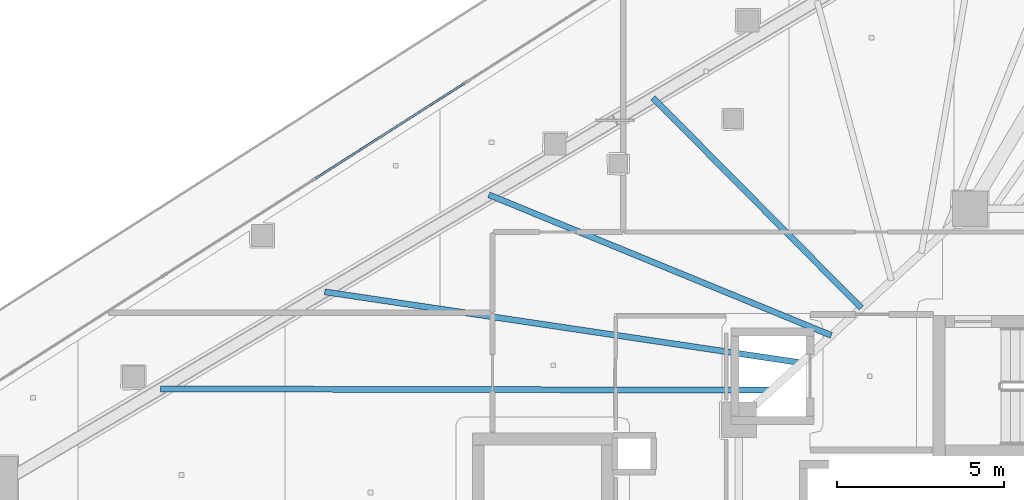
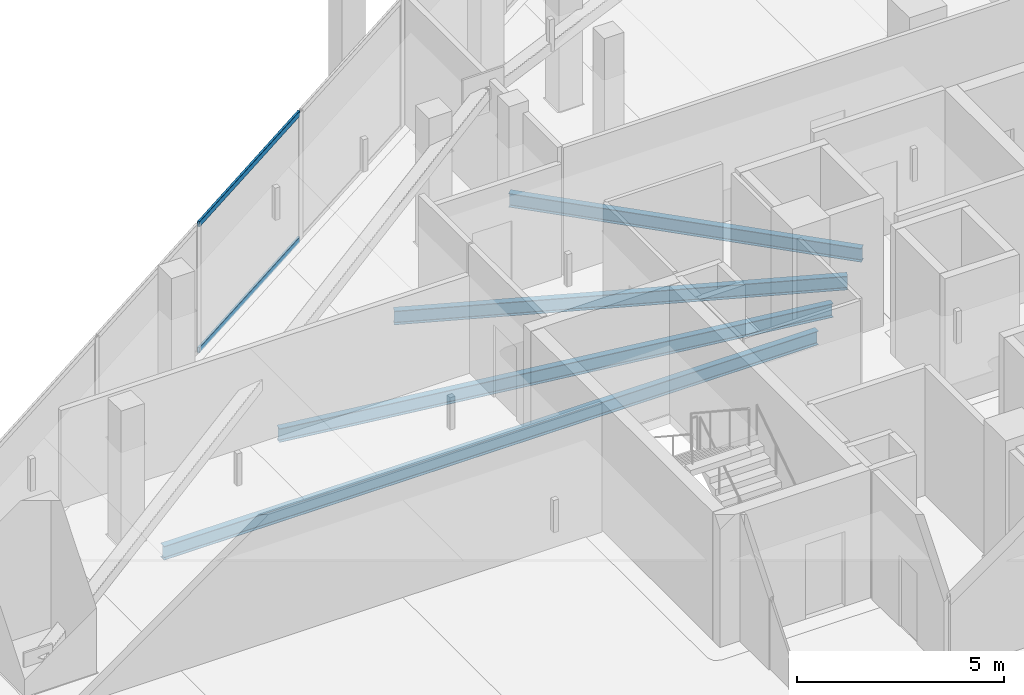
# One storey, part 19 of 43: 4 beams, 2 members, 1 element without a shape of its own.
"""IFC4 building model written with IfcOpenShell, lengths in metres."""

from ifc_helpers import new_model, si_unit, direction, frame, origin, origin_2d, place, context, subcontext, project, spatial, hollow_rectangle, i_section, extrude, material, layer, layer_set, material_profile, profile_set, type_object, element, aggregate, save


model = new_model("IFC4")

# Units and contexts
model_context = context("Model", 3, precision=1e-05, world=origin(), true_north=direction((0.0, 1.0)))
body_context = subcontext(model_context, "Body", "Model", "MODEL_VIEW")
ifc_project = project(units=[si_unit("LENGTHUNIT", "METRE"), si_unit("AREAUNIT", "SQUARE_METRE"), si_unit("VOLUMEUNIT", "CUBIC_METRE"), si_unit("PLANEANGLEUNIT", "RADIAN"), si_unit("MASSUNIT", "GRAM", prefix="KILO")], contexts=[model_context])

# Site, building, storey
site_placement = place(None, origin())
site = spatial("IfcSite", under=ifc_project, at=site_placement, CompositionType="ELEMENT")
building_placement = place(site_placement, origin())
building = spatial("IfcBuilding", under=site, at=building_placement, Name="Qorvath Tower", CompositionType="ELEMENT")
storey_placement = place(building_placement, frame((0.0, 0.0, 150.300048828125)))
storey = spatial("IfcBuildingStorey", under=building, at=storey_placement, Name="L34", CompositionType="ELEMENT", Elevation=150.300048828125)

# Beams
ifc_material_1 = material(Name="Steel ASTM A992 Grade 50", Category="steel")
ifc_material_profile_1 = material_profile(ifc_material_1, i_section(OverallWidth=0.177978515625, OverallDepth=0.406005859375, WebThickness=0.0078125, FlangeThickness=0.0126953125, FilletRadius=0.010986328125, at=origin_2d()), Name="W16x40")
ifc_profile_set_1 = profile_set([ifc_material_profile_1], Name="Steel ASTM A992 Grade 50")
beam_type = type_object("IfcBeamType", Name="BM-FJ3", PredefinedType="JOIST", material=ifc_profile_set_1)
beam_1_placement = place(storey_placement, frame((-29.533935546875, 6.031982421875, -0.47314453125), z_axis=(-0.999997589883, 0.002195501951, 0.0), x_axis=(-0.002195501951, -0.999997589883, 0.0)))
element("IfcBeam", 1, at=beam_1_placement, inside=storey, type_object=beam_type, Name="Composite Floor Joist NW1 L34", PredefinedType="JOIST", context=body_context, shape_type="SweptSolid", body=[
    extrude(i_section(OverallWidth=0.177978515625, OverallDepth=0.406005859375, WebThickness=0.0078125, FlangeThickness=0.0126953125, FilletRadius=0.010986328125, at=origin_2d()), origin(), (0.0, 0.0, 1.0), 18.23681640625),
])
beam_2_placement = place(storey_placement, frame((-28.636962890625, 6.85107421875, -0.47314453125), z_axis=(-0.989092860328, 0.147293291256, 0.0), x_axis=(-0.147293291256, -0.989092860328, 0.0)))
element("IfcBeam", 2, at=beam_2_placement, inside=storey, type_object=beam_type, Name="Composite Floor Joist NW2 L34", PredefinedType="JOIST", context=body_context, shape_type="SweptSolid", body=[
    extrude(i_section(OverallWidth=0.177978515625, OverallDepth=0.406005859375, WebThickness=0.0078125, FlangeThickness=0.0126953125, FilletRadius=0.010986328125, at=origin_2d()), origin(), (0.0, 0.0, 1.0), 14.388916015625),
])
beam_3_placement = place(storey_placement, frame((-27.739990234375, 7.669921875, -0.47314453125), z_axis=(-0.925068176006, 0.379801092338, 0.0), x_axis=(-0.379801092338, -0.925068176006, 0.0)))
element("IfcBeam", 3, at=beam_3_placement, inside=storey, type_object=beam_type, Name="Composite Floor Joist NW3 L34", PredefinedType="JOIST", context=body_context, shape_type="SweptSolid", body=[
    extrude(i_section(OverallWidth=0.177978515625, OverallDepth=0.406005859375, WebThickness=0.0078125, FlangeThickness=0.0126953125, FilletRadius=0.010986328125, at=origin_2d()), origin(), (0.0, 0.0, 1.0), 11.0556640625),
])
beam_4_placement = place(storey_placement, frame((-26.843017578125, 8.489013671875, -0.47314453125), z_axis=(-0.70395121362, 0.710248328997, 0.0), x_axis=(-0.710248328997, -0.70395121362, 0.0)))
element("IfcBeam", 4, at=beam_4_placement, inside=storey, type_object=beam_type, Name="Composite Floor Joist NW4 L34", PredefinedType="JOIST", context=body_context, shape_type="SweptSolid", body=[
    extrude(i_section(OverallWidth=0.177978515625, OverallDepth=0.406005859375, WebThickness=0.0078125, FlangeThickness=0.0126953125, FilletRadius=0.010986328125, at=origin_2d()), origin(), (0.0, 0.0, 1.0), 8.839599609375),
])

# Curtain wall, members
ifc_material_2 = material(Name="Anodised aluminium and triple low-E glass", Category="aluminium")
ifc_layer = layer(ifc_material_2, 0.179931640625)
ifc_layer_set = layer_set([ifc_layer], Name="CW-SYS-5")
curtain_wall_type = type_object("IfcCurtainWallType", Name="CW-SYS-5", PredefinedType="NOTDEFINED", material=ifc_layer_set)
curtain_wall_placement = place(storey_placement, origin())
curtain_wall = element("IfcCurtainWall", 5, at=curtain_wall_placement, inside=storey, type_object=curtain_wall_type, Name="Curtain Wall CW-5 CW-T-L34-16.1", PredefinedType="NOTDEFINED")
ifc_material_3 = material(Name="Anodised aluminium 6063-T6", Category="aluminium")
ifc_material_profile_2 = material_profile(ifc_material_3, hollow_rectangle(XDim=0.06494140625, YDim=0.159912109375, WallThickness=0.00341796875, InnerFilletRadius=0.00341796875, OuterFilletRadius=0.007080078125, at=origin_2d()), Name="CWT 160x65")
ifc_profile_set_2 = profile_set([ifc_material_profile_2], Name="Anodised aluminium 6063-T6")
member_type = type_object("IfcMemberType", Name="CWT-160", PredefinedType="USERDEFINED", material=ifc_profile_set_2)
member_1_placement = place(storey_placement, frame((-38.689208984375, 15.2041015625, 0.032470703125), z_axis=(-0.842607560857, -0.538528085049, 0.0), x_axis=(0.538528085049, -0.842607560857, 0.0)))
member_1 = element("IfcMember", 6, at=member_1_placement, type_object=member_type, Name="CW-5 transom 6.1", ObjectType="TRANSOM", PredefinedType="USERDEFINED", context=body_context, shape_type="SweptSolid", body=[
    extrude(hollow_rectangle(XDim=0.06494140625, YDim=0.159912109375, WallThickness=0.00341796875, InnerFilletRadius=0.00341796875, OuterFilletRadius=0.007080078125, at=origin_2d()), origin(), (0.0, 0.0, 1.0), 5.2734375),
])
member_2_placement = place(storey_placement, frame((-38.689208984375, 15.2041015625, 3.74755859375), z_axis=(-0.842607560857, -0.538528085049, 0.0), x_axis=(0.538528085049, -0.842607560857, 0.0)))
member_2 = element("IfcMember", 7, at=member_2_placement, type_object=member_type, Name="CW-5 transom 6.2", ObjectType="TRANSOM", PredefinedType="USERDEFINED", context=body_context, shape_type="SweptSolid", body=[
    extrude(hollow_rectangle(XDim=0.06494140625, YDim=0.159912109375, WallThickness=0.00341796875, InnerFilletRadius=0.00341796875, OuterFilletRadius=0.007080078125, at=origin_2d()), origin(), (0.0, 0.0, 1.0), 5.2734375),
])
aggregate(curtain_wall, [member_1, member_2])

save(model, "model.ifc")
